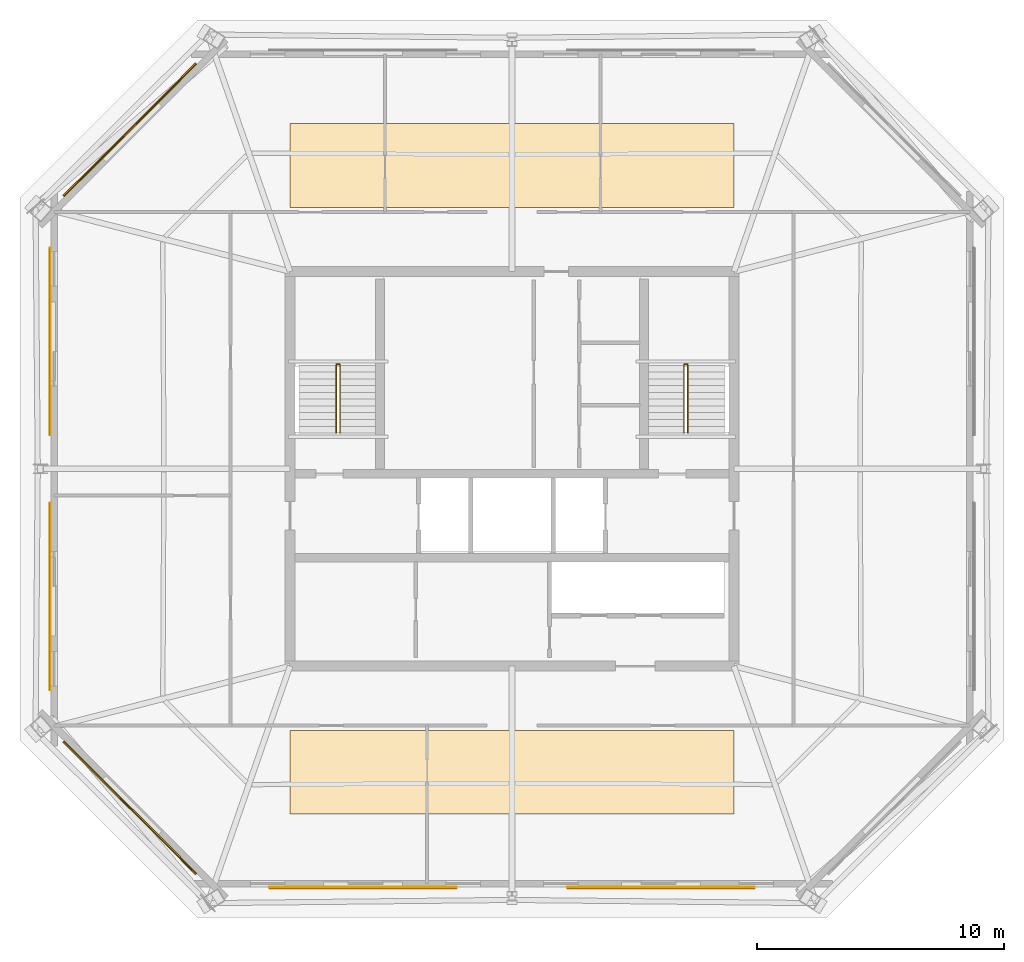
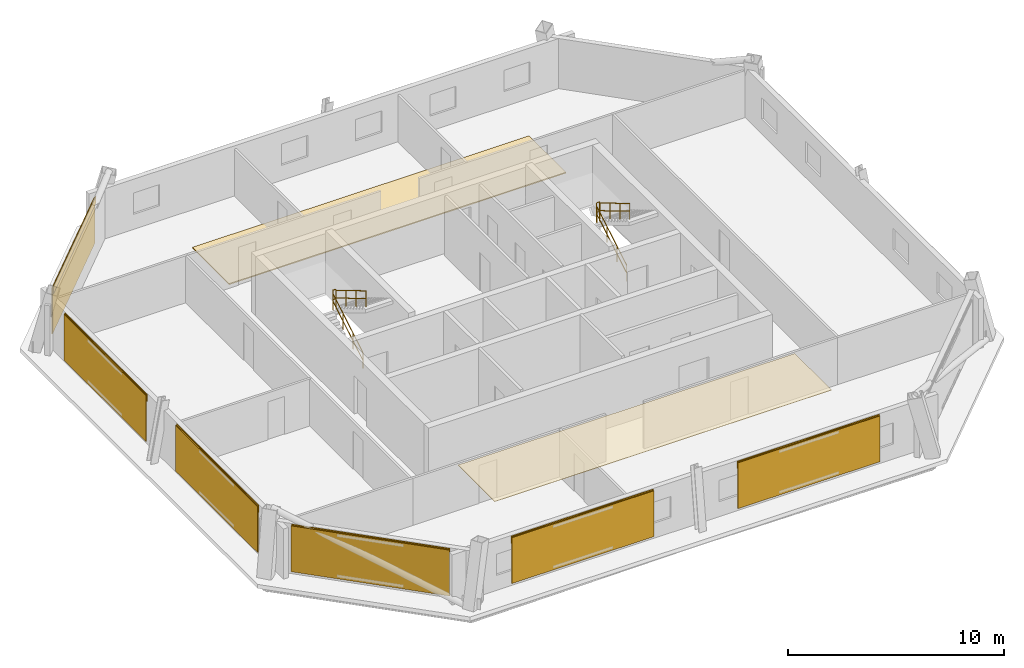
# One storey, part 5 of 6: 8 coverings, 6 railings, 6 shading devices.
"""IFC4 building model written with IfcOpenShell, lengths in metres."""

from ifc_helpers import new_model, si_unit, direction, frame, origin, origin_2d, place, context, subcontext, project, spatial, polyline, rectangle, circle, outline, extrude, material, layer, layer_set, type_object, element, save


model = new_model("IFC4")

# Units and contexts
model_context = context("Model", 3, precision=1e-05, world=origin(), true_north=direction((0.0, 1.0)))
body_context = subcontext(model_context, "Body", "Model", "MODEL_VIEW")
ifc_project = project(units=[si_unit("LENGTHUNIT", "METRE"), si_unit("AREAUNIT", "SQUARE_METRE"), si_unit("VOLUMEUNIT", "CUBIC_METRE"), si_unit("PLANEANGLEUNIT", "RADIAN"), si_unit("MASSUNIT", "GRAM", prefix="KILO")], contexts=[model_context])

# Site, building, storey
site_placement = place(None, origin())
site = spatial("IfcSite", under=ifc_project, at=site_placement, CompositionType="ELEMENT")
building_placement = place(site_placement, origin())
building = spatial("IfcBuilding", under=site, at=building_placement, Name="Caelvoria Tower", CompositionType="ELEMENT")
storey_placement = place(building_placement, frame((0.0, 0.0, 246.60009765625)))
storey = spatial("IfcBuildingStorey", under=building, at=storey_placement, Name="L65", CompositionType="ELEMENT", Elevation=246.60009765625)

# Coverings
ifc_material_1 = material(Name="Acoustic Mineral Fibre Tile", Category="gypsum")
ifc_layer_1 = layer(ifc_material_1, 0.02490234375, Name="Acoustic Mineral Fibre Tile")
ifc_layer_set_1 = layer_set([ifc_layer_1], Name="Mineral-Fibre Acoustic Suspended Ceiling 25 - Acoustic Mineral Fibre Tile")
covering_type_1 = type_object("IfcCoveringType", Name="Mineral-Fibre Acoustic Suspended Ceiling 25", PredefinedType="CEILING", material=ifc_layer_set_1)
covering_1_placement = place(storey_placement, frame((0.0, 0.0, 2.64990234375)))
element("IfcCovering", 1, at=covering_1_placement, inside=storey, type_object=covering_type_1, Name="Suspended Acoustic Ceiling L65", PredefinedType="CEILING", context=body_context, shape_type="SweptSolid", body=[
    extrude(outline(polyline([(37.0, 18.0), (55.0, 18.0), (55.0, 21.39990234375), (37.0, 21.39990234375), (37.0, 18.0)])), origin(), (0.0, 0.0, 1.0), 0.02490234375),
])
ifc_material_2 = material(Name="Perforated Architectural Bronze Cladding Screen", Category="bronze")
ifc_layer_2 = layer(ifc_material_2, 0.0400390625, Name="Perforated Architectural Bronze Cladding Screen")
ifc_layer_set_2 = layer_set([ifc_layer_2], Name="Perforated Bronze Louvre Cladding Band 40 - Perforated Architectural Bronze Cladding Screen")
covering_type_2 = type_object("IfcCoveringType", Name="Perforated Bronze Louvre Cladding Band 40", PredefinedType="CLADDING", material=ifc_layer_set_2)
for number, where, z_axis, x_axis, name in (
    (2, (39.955078125, 15.035400390625, 2.411865234375), (0.0, 0.0, 1.0), (1.0, 0.0, 0.0), "Perforated Bronze Screen Band L65-E0-00"),
    (3, (52.044921875, 15.035400390625, 2.411865234375), (0.0, 0.0, 1.0), (1.0, 0.0, 0.0), "Perforated Bronze Screen Band L65-E0-01"),
    (4, (30.523681640625, 45.726318359375, 2.411865234375), (0.0, 0.0, 1.0), (-0.707106781187, -0.707106781187, 0.0), "Perforated Bronze Screen Band L65-E5-00"),
    (5, (27.285400390625, 37.169921875, 2.411865234375), (0.0, 0.0, 1.0), (0.0, -1.0, 0.0), "Perforated Bronze Screen Band L65-E6-00"),
    (6, (27.285400390625, 26.830078125, 2.411865234375), (0.0, 0.0, 1.0), (0.0, -1.0, 0.0), "Perforated Bronze Screen Band L65-E6-01"),
    (7, (30.523681640625, 18.273681640625, 2.411865234375), (0.0, 0.0, 1.0), (0.707106781187, -0.707106781187, 0.0), "Perforated Bronze Screen Band L65-E7-00"),
):
    element("IfcCovering", number, at=place(storey_placement, frame(where, z_axis=z_axis, x_axis=x_axis)), inside=storey, type_object=covering_type_2, Name=name, PredefinedType="CLADDING", context=body_context, shape_type="SweptSolid", body=[
        extrude(rectangle(XDim=7.60009765625, YDim=0.0400390625, at=origin_2d()), origin(), (0.0, 0.0, 1.0), 0.39990234375),
    ])

# Shading devices
ifc_material_3 = material(Name="Perforated Architectural Bronze Alloy Panel", Category="bronze")
ifc_layer_3 = layer(ifc_material_3, 0.044921875, Name="Perforated Architectural Bronze Alloy Panel")
ifc_layer_set_3 = layer_set([ifc_layer_3], Name="Perforated Bronze Solar Screen Panel SCREEN - Perforated Architectural Bronze Alloy Panel")
shading_device_type = type_object("IfcShadingDeviceType", Name="Perforated Bronze Solar Screen Panel SCREEN", PredefinedType="USERDEFINED", material=ifc_layer_set_3)
for number, where, z_axis, x_axis, name in (
    (8, (39.955078125, 14.992431640625, 0.15966796875), (0.0, 0.0, 1.0), (1.0, 0.0, 0.0), "Perforated Bronze Solar Screen L65-E0-00"),
    (9, (52.044921875, 14.992431640625, 0.15966796875), (0.0, 0.0, 1.0), (1.0, 0.0, 0.0), "Perforated Bronze Solar Screen L65-E0-01"),
    (10, (30.4931640625, 45.7568359375, 0.15966796875), (0.0, 0.0, 1.0), (-0.707106781187, -0.707106781187, 0.0), "Perforated Bronze Solar Screen L65-E5-00"),
    (11, (27.242431640625, 37.169921875, 0.15966796875), (0.0, 0.0, 1.0), (0.0, -1.0, 0.0), "Perforated Bronze Solar Screen L65-E6-00"),
    (12, (27.242431640625, 26.830078125, 0.15966796875), (0.0, 0.0, 1.0), (0.0, -1.0, 0.0), "Perforated Bronze Solar Screen L65-E6-01"),
    (13, (30.4931640625, 18.2431640625, 0.15966796875), (0.0, 0.0, 1.0), (0.707106781187, -0.707106781187, 0.0), "Perforated Bronze Solar Screen L65-E7-00"),
):
    element("IfcShadingDevice", number, at=place(storey_placement, frame(where, z_axis=z_axis, x_axis=x_axis)), inside=storey, type_object=shading_device_type, Name=name, ObjectType="SCREEN", PredefinedType="USERDEFINED", context=body_context, shape_type="SweptSolid", body=[
        extrude(rectangle(XDim=7.60009765625, YDim=0.044921875, at=origin_2d()), origin(), (0.0, 0.0, 1.0), 2.592041015625),
    ])

# Covering
ifc_material_4 = material(Name="Calcium-Sulphate Raised Floor Tile", Category="gypsum")
ifc_layer_4 = layer(ifc_material_4, 0.06005859375, Name="Calcium-Sulphate Raised Floor Tile")
ifc_layer_set_4 = layer_set([ifc_layer_4], Name="Raised Access Office Floor System 120 - Calcium-Sulphate Raised Floor Tile")
covering_type_3 = type_object("IfcCoveringType", Name="Raised Access Office Floor System 120", PredefinedType="FLOORING", material=ifc_layer_set_4)
covering_2_placement = place(storey_placement, origin())
element("IfcCovering", 14, at=covering_2_placement, inside=storey, type_object=covering_type_3, Name="Raised Access Flooring L65", PredefinedType="FLOORING", context=body_context, shape_type="SweptSolid", body=[
    extrude(outline(polyline([(37.0, 42.60009765625), (55.0, 42.60009765625), (55.0, 46.0), (37.0, 46.0), (37.0, 42.60009765625)])), origin(), (0.0, 0.0, 1.0), 0.059814453125),
])

# Railings
ifc_material_5 = material(Name="Brushed Stainless Steel Tube", Category="steel")
railing_type_1 = type_object("IfcRailingType", Name="Stair Tubular Stainless Handrail 920", PredefinedType="HANDRAIL", material=ifc_material_5)
railing_1_placement = place(storey_placement, frame((38.8701171875, 33.449951171875, 0.16357421875)))
element("IfcRailing", 15, at=railing_1_placement, inside=storey, type_object=railing_type_1, Name="ST-01 Flight 1 Handrail L65", PredefinedType="HANDRAIL", context=body_context, shape_type="SweptSolid", body=[
    extrude(circle(Radius=0.02392578125, at=origin_2d()), frame((0.0, 0.0, 0.89599609375), z_axis=(0.0, 0.859385484447, 0.511328259656), x_axis=(-1.0, 0.0, 0.0)), (0.0, 0.0, 1.0), 3.199951171875),
    extrude(circle(Radius=0.02392578125, at=origin_2d()), frame((0.0, 0.0, 0.4599609375), z_axis=(0.0, 0.859385484447, 0.511328259656), x_axis=(-1.0, 0.0, 0.0)), (0.0, 0.0, 1.0), 3.199951171875),
    extrude(circle(Radius=0.02099609375, at=origin_2d()), origin(), (0.0, 0.0, 1.0), 0.871826171875),
    extrude(circle(Radius=0.02099609375, at=origin_2d()), frame((0.0, 0.916748046875, 0.54541015625)), (0.0, 0.0, 1.0), 0.871826171875),
    extrude(circle(Radius=0.02099609375, at=origin_2d()), frame((0.0, 1.833251953125, 1.0908203125)), (0.0, 0.0, 1.0), 0.871826171875),
    extrude(circle(Radius=0.02099609375, at=origin_2d()), frame((0.0, 2.75, 1.63623046875)), (0.0, 0.0, 1.0), 0.871826171875),
])
railing_2_placement = place(storey_placement, frame((39.030029296875, 36.199951171875, 1.963623046875)))
element("IfcRailing", 16, at=railing_2_placement, inside=storey, type_object=railing_type_1, Name="ST-01 Flight 2 Handrail L65", PredefinedType="HANDRAIL", context=body_context, shape_type="SweptSolid", body=[
    extrude(circle(Radius=0.02392578125, at=origin_2d()), frame((0.0, 0.0, 0.89599609375), z_axis=(0.0, -0.859385484447, 0.511328259656), x_axis=(1.0, 0.0, 0.0)), (0.0, 0.0, 1.0), 3.199951171875),
    extrude(circle(Radius=0.02392578125, at=origin_2d()), frame((0.0, 0.0, 0.4599609375), z_axis=(0.0, -0.859385484447, 0.511328259656), x_axis=(1.0, 0.0, 0.0)), (0.0, 0.0, 1.0), 3.199951171875),
    extrude(circle(Radius=0.02099609375, at=origin_2d()), origin(), (0.0, 0.0, 1.0), 0.871826171875),
    extrude(circle(Radius=0.02099609375, at=origin_2d()), frame((0.0, -0.916748046875, 0.54541015625)), (0.0, 0.0, 1.0), 0.871826171875),
    extrude(circle(Radius=0.02099609375, at=origin_2d()), frame((0.0, -1.833251953125, 1.0908203125)), (0.0, 0.0, 1.0), 0.871826171875),
    extrude(circle(Radius=0.02099609375, at=origin_2d()), frame((0.0, -2.75, 1.63623046875)), (0.0, 0.0, 1.0), 0.871826171875),
])
railing_3_placement = place(storey_placement, frame((52.969970703125, 33.449951171875, 0.16357421875)))
element("IfcRailing", 17, at=railing_3_placement, inside=storey, type_object=railing_type_1, Name="ST-02 Flight 1 Handrail L65", PredefinedType="HANDRAIL", context=body_context, shape_type="SweptSolid", body=[
    extrude(circle(Radius=0.02392578125, at=origin_2d()), frame((0.0, 0.0, 0.89599609375), z_axis=(0.0, 0.859385484447, 0.511328259656), x_axis=(-1.0, 0.0, 0.0)), (0.0, 0.0, 1.0), 3.199951171875),
    extrude(circle(Radius=0.02392578125, at=origin_2d()), frame((0.0, 0.0, 0.4599609375), z_axis=(0.0, 0.859385484447, 0.511328259656), x_axis=(-1.0, 0.0, 0.0)), (0.0, 0.0, 1.0), 3.199951171875),
    extrude(circle(Radius=0.02099609375, at=origin_2d()), origin(), (0.0, 0.0, 1.0), 0.871826171875),
    extrude(circle(Radius=0.02099609375, at=origin_2d()), frame((0.0, 0.916748046875, 0.54541015625)), (0.0, 0.0, 1.0), 0.871826171875),
    extrude(circle(Radius=0.02099609375, at=origin_2d()), frame((0.0, 1.833251953125, 1.0908203125)), (0.0, 0.0, 1.0), 0.871826171875),
    extrude(circle(Radius=0.02099609375, at=origin_2d()), frame((0.0, 2.75, 1.63623046875)), (0.0, 0.0, 1.0), 0.871826171875),
])
railing_4_placement = place(storey_placement, frame((53.1298828125, 36.199951171875, 1.963623046875)))
element("IfcRailing", 18, at=railing_4_placement, inside=storey, type_object=railing_type_1, Name="ST-02 Flight 2 Handrail L65", PredefinedType="HANDRAIL", context=body_context, shape_type="SweptSolid", body=[
    extrude(circle(Radius=0.02392578125, at=origin_2d()), frame((0.0, 0.0, 0.89599609375), z_axis=(0.0, -0.859385484447, 0.511328259656), x_axis=(1.0, 0.0, 0.0)), (0.0, 0.0, 1.0), 3.199951171875),
    extrude(circle(Radius=0.02392578125, at=origin_2d()), frame((0.0, 0.0, 0.4599609375), z_axis=(0.0, -0.859385484447, 0.511328259656), x_axis=(1.0, 0.0, 0.0)), (0.0, 0.0, 1.0), 3.199951171875),
    extrude(circle(Radius=0.02099609375, at=origin_2d()), origin(), (0.0, 0.0, 1.0), 0.871826171875),
    extrude(circle(Radius=0.02099609375, at=origin_2d()), frame((0.0, -0.916748046875, 0.54541015625)), (0.0, 0.0, 1.0), 0.871826171875),
    extrude(circle(Radius=0.02099609375, at=origin_2d()), frame((0.0, -1.833251953125, 1.0908203125)), (0.0, 0.0, 1.0), 0.871826171875),
    extrude(circle(Radius=0.02099609375, at=origin_2d()), frame((0.0, -2.75, 1.63623046875)), (0.0, 0.0, 1.0), 0.871826171875),
])
ifc_material_6 = material(Name="Brushed Stainless Steel Guardrail", Category="steel")
railing_type_2 = type_object("IfcRailingType", Name="Stair Well and Ramp Guardrail 1120", PredefinedType="GUARDRAIL", material=ifc_material_6)
for number, where, name in (
    (19, (38.8701171875, 36.239990234375, 1.7998046875), "ST-01 Half-Landing Well Guard L65"),
    (20, (52.969970703125, 36.239990234375, 1.7998046875), "ST-02 Half-Landing Well Guard L65"),
):
    element("IfcRailing", number, at=place(storey_placement, frame(where)), inside=storey, type_object=railing_type_2, Name=name, PredefinedType="GUARDRAIL", context=body_context, shape_type="SweptSolid", body=[
        extrude(circle(Radius=0.02392578125, at=origin_2d()), frame((0.0, 0.0, 1.09619140625), z_axis=(1.0, 0.0, 0.0), x_axis=(0.0, 1.0, 0.0)), (0.0, 0.0, 1.0), 0.159912109375),
        extrude(circle(Radius=0.02392578125, at=origin_2d()), frame((0.0, 0.0, 0.56005859375), z_axis=(1.0, 0.0, 0.0), x_axis=(0.0, 1.0, 0.0)), (0.0, 0.0, 1.0), 0.159912109375),
        extrude(circle(Radius=0.02099609375, at=origin_2d()), origin(), (0.0, 0.0, 1.0), 1.072021484375),
        extrude(circle(Radius=0.02099609375, at=origin_2d()), frame((0.159912109375, 0.0, 0.0)), (0.0, 0.0, 1.0), 1.072021484375),
    ])

save(model, "model.ifc")
